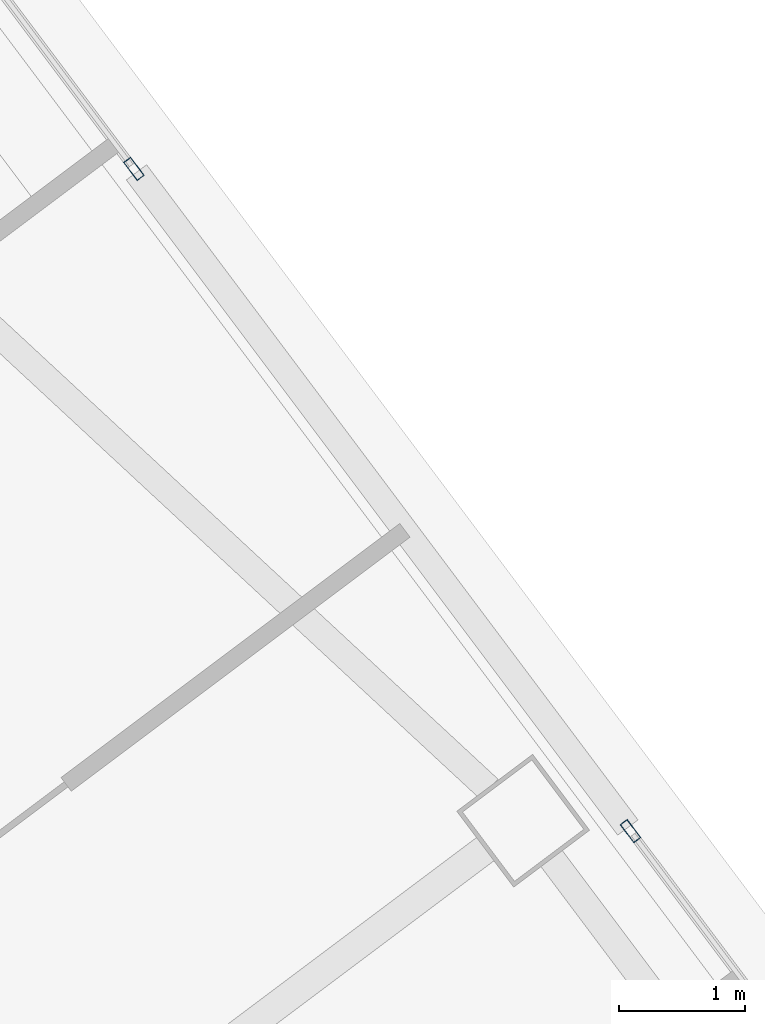
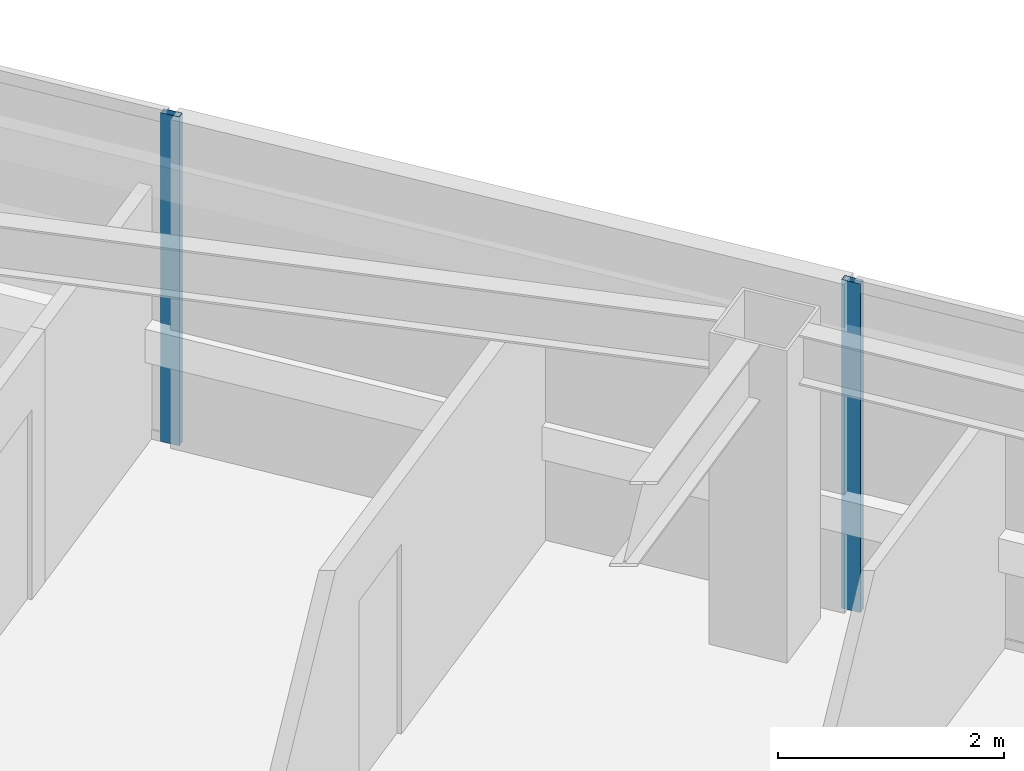
# One storey, part 29 of 41: 2 members, 2 elements without a shape of their own.
"""IFC4 building model written with IfcOpenShell, lengths in metres."""

from ifc_helpers import new_model, si_unit, direction, frame, origin, origin_2d, place, context, subcontext, project, spatial, hollow_rectangle, extrude, material, material_profile, profile_set, type_object, element, aggregate, save


model = new_model("IFC4")

# Units and contexts
model_context = context("Model", 3, precision=1e-05, world=origin(), true_north=direction((0.0, 1.0)))
body_context = subcontext(model_context, "Body", "Model", "MODEL_VIEW")
ifc_project = project(units=[si_unit("LENGTHUNIT", "METRE"), si_unit("AREAUNIT", "SQUARE_METRE"), si_unit("VOLUMEUNIT", "CUBIC_METRE"), si_unit("PLANEANGLEUNIT", "RADIAN"), si_unit("MASSUNIT", "GRAM", prefix="KILO")], contexts=[model_context])

# Site, building, storey
site_placement = place(None, origin())
site = spatial("IfcSite", under=ifc_project, at=site_placement, CompositionType="ELEMENT")
building_placement = place(site_placement, origin())
building = spatial("IfcBuilding", under=site, at=building_placement, Name="Tashvorn Skyway Center", CompositionType="ELEMENT")
storey_placement = place(building_placement, frame((0.0, 0.0, 174.75)))
storey = spatial("IfcBuildingStorey", under=building, at=storey_placement, Name="L47", CompositionType="ELEMENT", Elevation=174.75)

# Curtain wall, member
ifc_material = material(Name="Thermally broken bronze-anodized aluminium 6063-T6", Category="aluminium")
curtain_wall_type = type_object("IfcCurtainWallType", Name="CW-CW-Z4", PredefinedType="NOTDEFINED", material=ifc_material)
curtain_wall_1_placement = place(storey_placement, origin())
curtain_wall_1 = element("IfcCurtainWall", 1, at=curtain_wall_1_placement, inside=storey, type_object=curtain_wall_type, Name="Tower 2 L47 East Unitised Curtain Wall Glazing Group 1", PredefinedType="NOTDEFINED")
ifc_material_profile = material_profile(ifc_material, hollow_rectangle(XDim=0.070068359375, YDim=0.179931640625, WallThickness=0.00390625, at=origin_2d()), Name="ALU-MULL-70x180")
ifc_profile_set = profile_set([ifc_material_profile], Name="Thermally broken bronze-anodized aluminium 6063-T6")
member_type = type_object("IfcMemberType", Name="CWM-CW-Z4", PredefinedType="MULLION", material=ifc_profile_set)
member_1_placement = place(storey_placement, frame((120.59912109375, 51.16796875, 0.0), z_axis=(0.0, 0.0, 1.0), x_axis=(0.799999999998, 0.600000000002, 0.0)))
member_1 = element("IfcMember", 2, at=member_1_placement, type_object=member_type, Name="CW-Z4 mullion 2", PredefinedType="MULLION", context=body_context, shape_type="SweptSolid", body=[
    extrude(hollow_rectangle(XDim=0.070068359375, YDim=0.179931640625, WallThickness=0.00390625, at=origin_2d()), origin(), (0.0, 0.0, 1.0), 3.550048828125),
])
aggregate(curtain_wall_1, [member_1])

curtain_wall_2_placement = place(storey_placement, origin())
curtain_wall_2 = element("IfcCurtainWall", 3, at=curtain_wall_2_placement, inside=storey, type_object=curtain_wall_type, Name="Tower 2 L47 East Unitised Curtain Wall Glazing Group 2", PredefinedType="NOTDEFINED")
member_2_placement = place(storey_placement, frame((124.529052734375, 45.927978515625, 0.0), z_axis=(0.0, 0.0, 1.0), x_axis=(0.799999999998, 0.600000000002, 0.0)))
member_2 = element("IfcMember", 4, at=member_2_placement, type_object=member_type, Name="CW-Z4 mullion 1", PredefinedType="MULLION", context=body_context, shape_type="SweptSolid", body=[
    extrude(hollow_rectangle(XDim=0.070068359375, YDim=0.179931640625, WallThickness=0.00390625, at=origin_2d()), origin(), (0.0, 0.0, 1.0), 3.550048828125),
])
aggregate(curtain_wall_2, [member_2])

save(model, "model.ifc")
